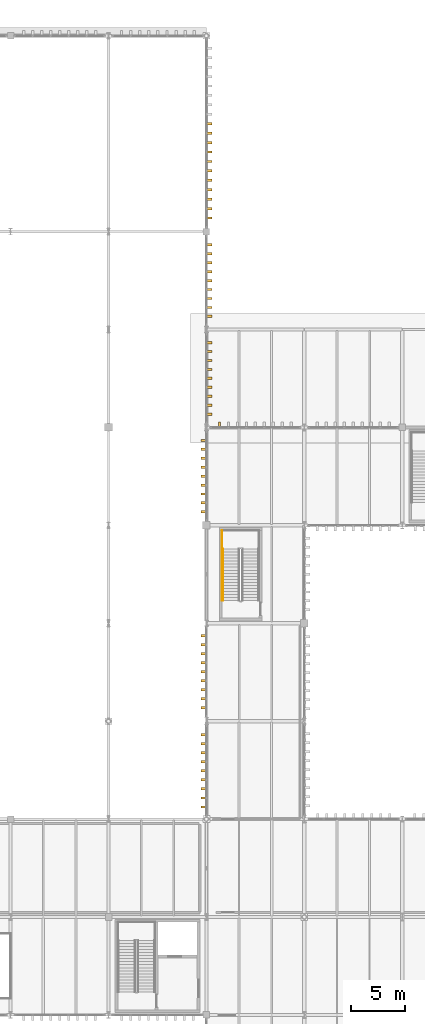
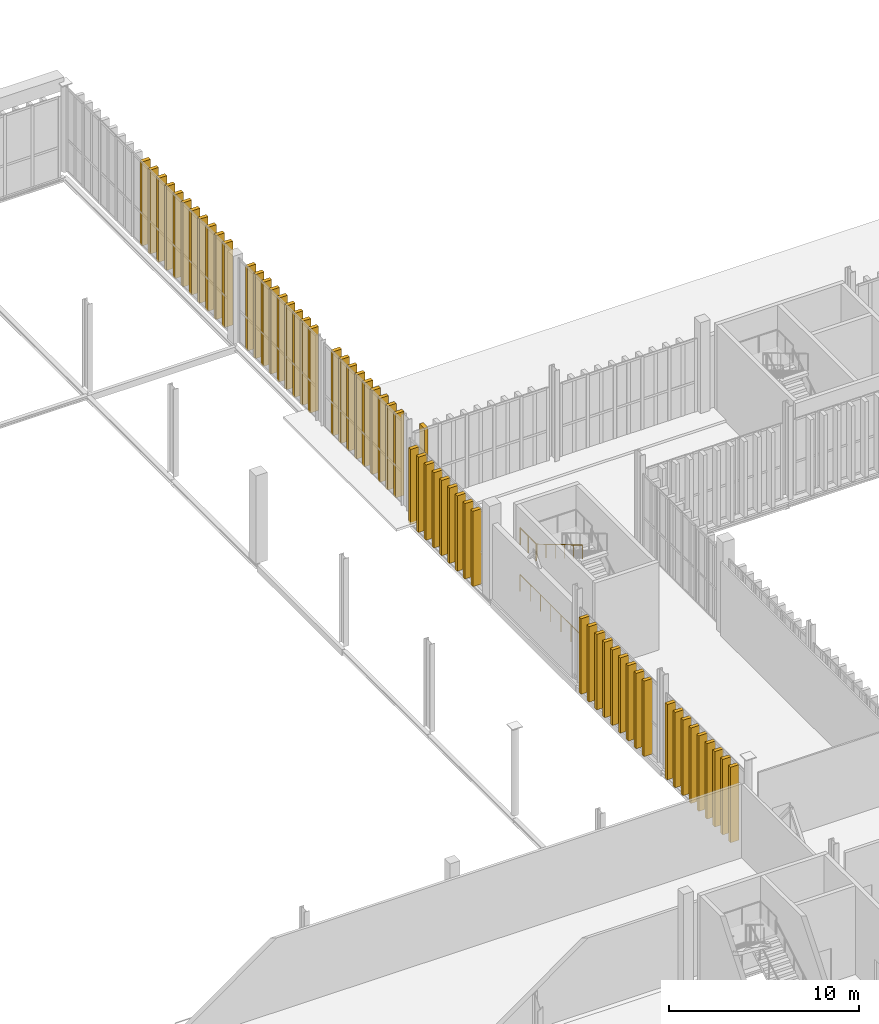
# One storey, part 223 of 237: 57 shading devices, 3 railings.
"""IFC4 building model written with IfcOpenShell, lengths in metres."""

from ifc_helpers import new_model, si_unit, direction, frame, origin, origin_2d, place, context, subcontext, project, spatial, rectangle, circle, extrude, material, type_object, element, save


model = new_model("IFC4")

# Units and contexts
model_context = context("Model", 3, precision=1e-05, world=origin(), true_north=direction((0.0, 1.0)))
body_context = subcontext(model_context, "Body", "Model", "MODEL_VIEW")
ifc_project = project(units=[si_unit("LENGTHUNIT", "METRE"), si_unit("AREAUNIT", "SQUARE_METRE"), si_unit("VOLUMEUNIT", "CUBIC_METRE"), si_unit("PLANEANGLEUNIT", "RADIAN"), si_unit("MASSUNIT", "GRAM", prefix="KILO")], contexts=[model_context])

# Site, building, storey
site_placement = place(None, origin())
site = spatial("IfcSite", under=ifc_project, at=site_placement, CompositionType="ELEMENT")
building_placement = place(site_placement, origin())
building = spatial("IfcBuilding", under=site, at=building_placement, Name="Barlavento Convention Centre", CompositionType="ELEMENT")
storey_placement = place(building_placement, frame((0.0, 0.0, 12.0)))
storey = spatial("IfcBuildingStorey", under=building, at=storey_placement, Name="L02", CompositionType="ELEMENT", Elevation=12.0)

# Railings
ifc_material_1 = material(Name="Stainless steel and laminated glass balustrade", Category="steel")
railing_type_1 = type_object("IfcRailingType", Name="ARC-RAL-BAL-1100", PredefinedType="BALUSTRADE", material=ifc_material_1)
railing_1_placement = place(storey_placement, frame((127.449951171875, 87.830078125, 3.0)))
element("IfcRailing", 1, at=railing_1_placement, inside=storey, type_object=railing_type_1, Name="L02 landing guard GR01", PredefinedType="BALUSTRADE", context=body_context, shape_type="SweptSolid", body=[
    extrude(circle(Radius=0.02392578125, at=origin_2d()), frame((0.0, 0.0, 1.076171875), z_axis=(0.0, 1.0, 0.0), x_axis=(-1.0, 0.0, 0.0)), (0.0, 0.0, 1.0), 1.699951171875),
    extrude(circle(Radius=0.02099609375, at=origin_2d()), origin(), (0.0, 0.0, 1.0), 1.052001953125),
    extrude(circle(Radius=0.02099609375, at=origin_2d()), frame((0.0, 0.85009765625, 0.0)), (0.0, 0.0, 1.0), 1.052001953125),
    extrude(circle(Radius=0.02099609375, at=origin_2d()), frame((0.0, 1.699951171875, 0.0)), (0.0, 0.0, 1.0), 1.052001953125),
])
railing_2_placement = place(storey_placement, frame((127.449951171875, 89.530029296875, 0.0)))
element("IfcRailing", 2, at=railing_2_placement, inside=storey, type_object=railing_type_1, Name="L02 stairwell perimeter guard GR01", PredefinedType="BALUSTRADE", context=body_context, shape_type="SweptSolid", body=[
    extrude(circle(Radius=0.02392578125, at=origin_2d()), frame((0.0, 0.0, 1.076171875), z_axis=(0.0, -1.0, 0.0), x_axis=(1.0, 0.0, 0.0)), (0.0, 0.0, 1.0), 6.43505859375),
    extrude(circle(Radius=0.02099609375, at=origin_2d()), origin(), (0.0, 0.0, 1.0), 1.052001953125),
    extrude(circle(Radius=0.02099609375, at=origin_2d()), frame((0.0, -1.072509765625, 0.0)), (0.0, 0.0, 1.0), 1.052001953125),
    extrude(circle(Radius=0.02099609375, at=origin_2d()), frame((0.0, -2.14501953125, 0.0)), (0.0, 0.0, 1.0), 1.052001953125),
    extrude(circle(Radius=0.02099609375, at=origin_2d()), frame((0.0, -3.217529296875, 0.0)), (0.0, 0.0, 1.0), 1.052001953125),
    extrude(circle(Radius=0.02099609375, at=origin_2d()), frame((0.0, -4.2900390625, 0.0)), (0.0, 0.0, 1.0), 1.052001953125),
    extrude(circle(Radius=0.02099609375, at=origin_2d()), frame((0.0, -5.362548828125, 0.0)), (0.0, 0.0, 1.0), 1.052001953125),
    extrude(circle(Radius=0.02099609375, at=origin_2d()), frame((0.0, -6.43505859375, 0.0)), (0.0, 0.0, 1.0), 1.052001953125),
])
ifc_material_2 = material(Name="Brushed stainless steel tubular handrail", Category="steel")
railing_type_2 = type_object("IfcRailingType", Name="ARC-RAL-HR-900", PredefinedType="HANDRAIL", material=ifc_material_2)
railing_3_placement = place(storey_placement, frame((127.5, 87.830078125, 3.166748046875)))
element("IfcRailing", 3, at=railing_3_placement, inside=storey, type_object=railing_type_2, Name="L02 ST12 stair handrail 2", PredefinedType="HANDRAIL", context=body_context, shape_type="SweptSolid", body=[
    extrude(circle(Radius=0.02392578125, at=origin_2d()), frame((0.0, 0.0, 0.8759765625), z_axis=(0.0, -0.859299802514, 0.511472237174), x_axis=(1.0, 0.0, 0.0)), (0.0, 0.0, 1.0), 5.539306640625),
    extrude(circle(Radius=0.02099609375, at=origin_2d()), origin(), (0.0, 0.0, 1.0), 0.851806640625),
    extrude(circle(Radius=0.02099609375, at=origin_2d()), frame((0.0, -0.951904296875, 0.566650390625)), (0.0, 0.0, 1.0), 0.851806640625),
    extrude(circle(Radius=0.02099609375, at=origin_2d()), frame((0.0, -1.904052734375, 1.13330078125)), (0.0, 0.0, 1.0), 0.851806640625),
    extrude(circle(Radius=0.02099609375, at=origin_2d()), frame((0.0, -2.85595703125, 1.699951171875)), (0.0, 0.0, 1.0), 0.851806640625),
    extrude(circle(Radius=0.02099609375, at=origin_2d()), frame((0.0, -3.80810546875, 2.2666015625)), (0.0, 0.0, 1.0), 0.851806640625),
    extrude(circle(Radius=0.02099609375, at=origin_2d()), frame((0.0, -4.760009765625, 2.833251953125)), (0.0, 0.0, 1.0), 0.851806640625),
])

# Shading devices
ifc_material_3 = material(Name="PVDF white extruded aluminium", Category="aluminium")
shading_device_type = type_object("IfcShadingDeviceType", Name="ARC-SHD-FIN-480", PredefinedType="USERDEFINED", material=ifc_material_3)
for number, where, z_axis, x_axis, name in (
    (4, (126.239990234375, 100.212890625, 0.10009765625), (0.0, 0.0, 1.0), (0.0, 1.0, 0.0), "White vertical solar shading fin VF01"),
    (5, (126.239990234375, 101.035888671875, 0.10009765625), (0.0, 0.0, 1.0), (0.0, 1.0, 0.0), "White vertical solar shading fin VF01"),
    (6, (126.239990234375, 101.85888671875, 0.10009765625), (0.0, 0.0, 1.0), (0.0, 1.0, 0.0), "White vertical solar shading fin VF01"),
    (7, (126.239990234375, 102.681884765625, 0.10009765625), (0.0, 0.0, 1.0), (0.0, 1.0, 0.0), "White vertical solar shading fin VF01"),
    (8, (126.239990234375, 103.5048828125, 0.10009765625), (0.0, 0.0, 1.0), (0.0, 1.0, 0.0), "White vertical solar shading fin VF01"),
    (9, (126.239990234375, 104.327880859375, 0.10009765625), (0.0, 0.0, 1.0), (0.0, 1.0, 0.0), "White vertical solar shading fin VF01"),
    (10, (126.239990234375, 105.15087890625, 0.10009765625), (0.0, 0.0, 1.0), (0.0, 1.0, 0.0), "White vertical solar shading fin VF01"),
    (11, (126.239990234375, 105.97412109375, 0.10009765625), (0.0, 0.0, 1.0), (0.0, 1.0, 0.0), "White vertical solar shading fin VF01"),
    (12, (126.239990234375, 106.797119140625, 0.10009765625), (0.0, 0.0, 1.0), (0.0, 1.0, 0.0), "White vertical solar shading fin VF01"),
    (13, (126.239990234375, 109.2041015625, 0.10009765625), (0.0, 0.0, 1.0), (0.0, 1.0, 0.0), "White vertical solar shading fin VF01"),
    (14, (126.239990234375, 110.028076171875, 0.10009765625), (0.0, 0.0, 1.0), (0.0, 1.0, 0.0), "White vertical solar shading fin VF01"),
    (15, (126.239990234375, 110.85205078125, 0.10009765625), (0.0, 0.0, 1.0), (0.0, 1.0, 0.0), "White vertical solar shading fin VF01"),
    (16, (126.239990234375, 111.676025390625, 0.10009765625), (0.0, 0.0, 1.0), (0.0, 1.0, 0.0), "White vertical solar shading fin VF01"),
    (17, (126.239990234375, 112.5, 0.10009765625), (0.0, 0.0, 1.0), (0.0, 1.0, 0.0), "White vertical solar shading fin VF01"),
    (18, (126.239990234375, 113.323974609375, 0.10009765625), (0.0, 0.0, 1.0), (0.0, 1.0, 0.0), "White vertical solar shading fin VF01"),
    (19, (126.239990234375, 114.14794921875, 0.10009765625), (0.0, 0.0, 1.0), (0.0, 1.0, 0.0), "White vertical solar shading fin VF01"),
    (20, (126.239990234375, 114.971923828125, 0.10009765625), (0.0, 0.0, 1.0), (0.0, 1.0, 0.0), "White vertical solar shading fin VF01"),
    (21, (126.239990234375, 115.7958984375, 0.10009765625), (0.0, 0.0, 1.0), (0.0, 1.0, 0.0), "White vertical solar shading fin VF01"),
    (22, (126.239990234375, 118.246826171875, 0.10009765625), (0.0, 0.0, 1.0), (0.0, 1.0, 0.0), "White vertical solar shading fin VF01"),
    (23, (126.239990234375, 119.11376953125, 0.10009765625), (0.0, 0.0, 1.0), (0.0, 1.0, 0.0), "White vertical solar shading fin VF01"),
    (24, (126.239990234375, 119.98046875, 0.10009765625), (0.0, 0.0, 1.0), (0.0, 1.0, 0.0), "White vertical solar shading fin VF01"),
    (25, (126.239990234375, 120.847412109375, 0.10009765625), (0.0, 0.0, 1.0), (0.0, 1.0, 0.0), "White vertical solar shading fin VF01"),
    (26, (126.239990234375, 121.714111328125, 0.10009765625), (0.0, 0.0, 1.0), (0.0, 1.0, 0.0), "White vertical solar shading fin VF01"),
    (27, (126.239990234375, 122.5810546875, 0.10009765625), (0.0, 0.0, 1.0), (0.0, 1.0, 0.0), "White vertical solar shading fin VF01"),
    (28, (126.239990234375, 123.447998046875, 0.10009765625), (0.0, 0.0, 1.0), (0.0, 1.0, 0.0), "White vertical solar shading fin VF01"),
    (29, (126.239990234375, 124.314697265625, 0.10009765625), (0.0, 0.0, 1.0), (0.0, 1.0, 0.0), "White vertical solar shading fin VF01"),
    (30, (126.239990234375, 125.181640625, 0.10009765625), (0.0, 0.0, 1.0), (0.0, 1.0, 0.0), "White vertical solar shading fin VF01"),
    (31, (126.239990234375, 126.04833984375, 0.10009765625), (0.0, 0.0, 1.0), (0.0, 1.0, 0.0), "White vertical solar shading fin VF01"),
    (32, (126.239990234375, 126.915283203125, 0.10009765625), (0.0, 0.0, 1.0), (0.0, 1.0, 0.0), "White vertical solar shading fin VF01"),
):
    element("IfcShadingDevice", number, at=place(storey_placement, frame(where, z_axis=z_axis, x_axis=x_axis)), inside=storey, type_object=shading_device_type, Name=name, ObjectType="FIN", PredefinedType="USERDEFINED", context=body_context, shape_type="SweptSolid", body=[
        extrude(rectangle(XDim=0.219970703125, YDim=0.52001953125, at=origin_2d()), origin(), (0.0, 0.0, 1.0), 5.39990234375),
    ])
for number, where, z_axis, x_axis, name in (
    (33, (125.760009765625, 64.10546875, 0.0), (0.0, 0.0, 1.0), (0.0, 1.0, 0.0), "White vertical solar shading fin VF01"),
    (34, (125.760009765625, 64.937744140625, 0.0), (0.0, 0.0, 1.0), (0.0, 1.0, 0.0), "White vertical solar shading fin VF01"),
    (35, (125.760009765625, 65.77001953125, 0.0), (0.0, 0.0, 1.0), (0.0, 1.0, 0.0), "White vertical solar shading fin VF01"),
    (36, (125.760009765625, 66.602294921875, 0.0), (0.0, 0.0, 1.0), (0.0, 1.0, 0.0), "White vertical solar shading fin VF01"),
    (37, (125.760009765625, 67.4345703125, 0.0), (0.0, 0.0, 1.0), (0.0, 1.0, 0.0), "White vertical solar shading fin VF01"),
    (38, (125.760009765625, 68.266845703125, 0.0), (0.0, 0.0, 1.0), (0.0, 1.0, 0.0), "White vertical solar shading fin VF01"),
    (39, (125.760009765625, 69.09912109375, 0.0), (0.0, 0.0, 1.0), (0.0, 1.0, 0.0), "White vertical solar shading fin VF01"),
    (40, (125.760009765625, 69.931396484375, 0.0), (0.0, 0.0, 1.0), (0.0, 1.0, 0.0), "White vertical solar shading fin VF01"),
    (41, (125.760009765625, 70.763671875, 0.0), (0.0, 0.0, 1.0), (0.0, 1.0, 0.0), "White vertical solar shading fin VF01"),
    (42, (125.760009765625, 73.23046875, 0.0), (0.0, 0.0, 1.0), (0.0, 1.0, 0.0), "White vertical solar shading fin VF01"),
    (43, (125.760009765625, 74.056884765625, 0.0), (0.0, 0.0, 1.0), (0.0, 1.0, 0.0), "White vertical solar shading fin VF01"),
    (44, (125.760009765625, 74.88330078125, 0.0), (0.0, 0.0, 1.0), (0.0, 1.0, 0.0), "White vertical solar shading fin VF01"),
    (45, (125.760009765625, 75.709716796875, 0.0), (0.0, 0.0, 1.0), (0.0, 1.0, 0.0), "White vertical solar shading fin VF01"),
    (46, (125.760009765625, 76.535888671875, 0.0), (0.0, 0.0, 1.0), (0.0, 1.0, 0.0), "White vertical solar shading fin VF01"),
    (47, (125.760009765625, 77.3623046875, 0.0), (0.0, 0.0, 1.0), (0.0, 1.0, 0.0), "White vertical solar shading fin VF01"),
    (48, (125.760009765625, 78.188720703125, 0.0), (0.0, 0.0, 1.0), (0.0, 1.0, 0.0), "White vertical solar shading fin VF01"),
    (49, (125.760009765625, 79.01513671875, 0.0), (0.0, 0.0, 1.0), (0.0, 1.0, 0.0), "White vertical solar shading fin VF01"),
    (50, (125.760009765625, 79.841552734375, 0.0), (0.0, 0.0, 1.0), (0.0, 1.0, 0.0), "White vertical solar shading fin VF01"),
    (51, (125.760009765625, 91.239990234375, 0.0), (0.0, 0.0, 1.0), (0.0, 1.0, 0.0), "White vertical solar shading fin VF01"),
    (52, (125.760009765625, 92.06005859375, 0.0), (0.0, 0.0, 1.0), (0.0, 1.0, 0.0), "White vertical solar shading fin VF01"),
    (53, (125.760009765625, 92.8798828125, 0.0), (0.0, 0.0, 1.0), (0.0, 1.0, 0.0), "White vertical solar shading fin VF01"),
    (54, (125.760009765625, 93.699951171875, 0.0), (0.0, 0.0, 1.0), (0.0, 1.0, 0.0), "White vertical solar shading fin VF01"),
    (55, (125.760009765625, 94.52001953125, 0.0), (0.0, 0.0, 1.0), (0.0, 1.0, 0.0), "White vertical solar shading fin VF01"),
    (56, (125.760009765625, 95.340087890625, 0.0), (0.0, 0.0, 1.0), (0.0, 1.0, 0.0), "White vertical solar shading fin VF01"),
    (57, (125.760009765625, 96.159912109375, 0.0), (0.0, 0.0, 1.0), (0.0, 1.0, 0.0), "White vertical solar shading fin VF01"),
    (58, (125.760009765625, 96.97998046875, 0.0), (0.0, 0.0, 1.0), (0.0, 1.0, 0.0), "White vertical solar shading fin VF01"),
    (59, (125.760009765625, 97.800048828125, 0.0), (0.0, 0.0, 1.0), (0.0, 1.0, 0.0), "White vertical solar shading fin VF01"),
    (60, (127.205078125, 99.239990234375, 0.0), (0.0, 0.0, 1.0), (1.0, 0.0, 0.0), "White vertical solar shading fin VF01"),
):
    element("IfcShadingDevice", number, at=place(storey_placement, frame(where, z_axis=z_axis, x_axis=x_axis)), inside=storey, type_object=shading_device_type, Name=name, ObjectType="FIN", PredefinedType="USERDEFINED", context=body_context, shape_type="SweptSolid", body=[
        extrude(rectangle(XDim=0.219970703125, YDim=0.52001953125, at=origin_2d()), origin(), (0.0, 0.0, 1.0), 4.85009765625),
    ])

save(model, "model.ifc")
